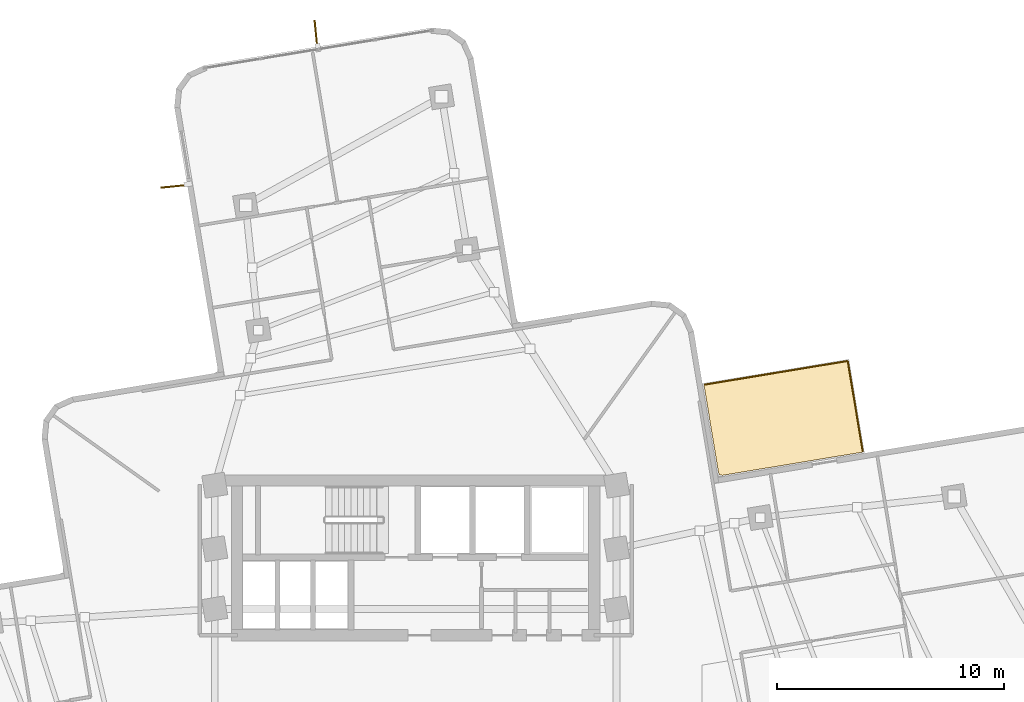
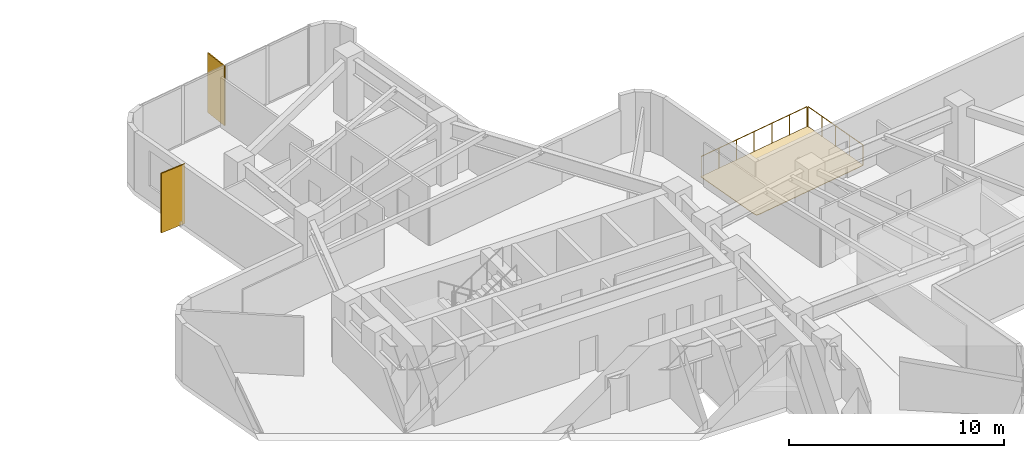
# One storey, part 13 of 13: 2 railings, 2 shading devices, 1 covering.
"""IFC4 building model written with IfcOpenShell, lengths in metres."""

import ifcopenshell
import ifcopenshell.guid

model = None  # the IFC model being written
_history = None  # IfcOwnerHistory: only IFC2X3 demands one
_inside = {}  # id of a spatial element -> (the spatial element, [elements in it])
_under = {}  # id of a project, library or spatial element -> (it, [spatial elements below it])
_declared = {}  # id of a project -> (the project, [libraries it declares])
_typed = {}  # id of a type object -> (the type object, [elements of that type])
_made_of = {}  # id of a material, layer set ... -> (it, [elements and type objects made of it])


def new_model(schema):
    """Start an empty IFC model of exactly this schema.

    Asked for "IFC4X3", IfcOpenShell would pick the latest addendum, in which some entities
    have other attributes; the version numbers below select the first issue.
    IFC2X3 requires an IfcOwnerHistory on every rooted entity: one is made here for all.
    """
    global model, _history
    if schema == "IFC4X3":
        model = ifcopenshell.file(schema_version=(4, 3, 0, 0))
    else:
        model = ifcopenshell.file(schema=schema)
    _inside.clear()
    _under.clear()
    _declared.clear()
    _typed.clear()
    _made_of.clear()
    _history = None
    if model.schema == "IFC2X3":
        org = make("IfcOrganization", Name="unknown")
        user = make(
            "IfcPersonAndOrganization",
            ThePerson=make("IfcPerson", FamilyName="unknown"),
            TheOrganization=org,
        )
        app = make(
            "IfcApplication",
            ApplicationDeveloper=org,
            Version="unknown",
            ApplicationFullName="unknown",
            ApplicationIdentifier="unknown",
        )
        _history = make(
            "IfcOwnerHistory",
            OwningUser=user,
            OwningApplication=app,
            ChangeAction="ADDED",
            CreationDate=0,
        )
    return model


def make(cls, **values):
    """One entity of the class cls with the attributes given. An attribute that is None is left unset."""
    return model.create_entity(
        cls, **{name: value for name, value in values.items() if value is not None}
    )


def rooted(cls, **values):
    """An entity with a GlobalId (a new one), such as an element, a storey or a relation."""
    return make(cls, GlobalId=ifcopenshell.guid.new(), OwnerHistory=_history, **values)


def si_unit(unit_type, name, prefix=None):
    """IfcSIUnit, for example si_unit("LENGTHUNIT", "METRE", prefix="MILLI")."""
    return make("IfcSIUnit", UnitType=unit_type, Prefix=prefix, Name=name)


def assignment(units):
    """IfcUnitAssignment: the units of a project."""
    return None if units is None else make("IfcUnitAssignment", Units=units)


def point(xyz):
    """IfcCartesianPoint."""
    return None if xyz is None else make("IfcCartesianPoint", Coordinates=xyz)


def direction(xyz):
    """IfcDirection."""
    return None if xyz is None else make("IfcDirection", DirectionRatios=xyz)


def frame(location, z_axis=None, x_axis=None):
    """IfcAxis2Placement3D, a coordinate frame: its origin and axes. An axis left out is left unset."""
    return make(
        "IfcAxis2Placement3D",
        Location=point(location),
        Axis=direction(z_axis),
        RefDirection=direction(x_axis),
    )


def frame_2d(location, x_axis=None):
    """IfcAxis2Placement2D, a coordinate frame in the plane: its origin and x axis."""
    return make(
        "IfcAxis2Placement2D", Location=point(location), RefDirection=direction(x_axis)
    )


def origin():
    """The frame at (0, 0, 0) with its axes left unset."""
    return frame((0.0, 0.0, 0.0))


def origin_2d():
    """The frame at (0, 0) in the plane with its x axis left unset."""
    return frame_2d((0.0, 0.0))


def place(relative_to, where):
    """IfcLocalPlacement: puts the frame where relative to a parent placement (None: the world)."""
    return make(
        "IfcLocalPlacement", PlacementRelTo=relative_to, RelativePlacement=where
    )


def context(
    kind, dimensions, precision=None, world=None, true_north=None, identifier=None
):
    """IfcGeometricRepresentationContext, for example the 3D "Model" context."""
    return make(
        "IfcGeometricRepresentationContext",
        ContextIdentifier=identifier,
        ContextType=kind,
        CoordinateSpaceDimension=dimensions,
        Precision=precision,
        WorldCoordinateSystem=world,
        TrueNorth=true_north,
    )


def subcontext(parent, identifier, kind, view, scale=None):
    """IfcGeometricRepresentationSubContext, for example "Body" below "Model"."""
    return make(
        "IfcGeometricRepresentationSubContext",
        ContextIdentifier=identifier,
        ContextType=kind,
        ParentContext=parent,
        TargetScale=scale,
        TargetView=view,
    )


def project(units=None, contexts=None):
    """IfcProject with its units and contexts."""
    return rooted(
        "IfcProject",
        Name="project",
        RepresentationContexts=contexts,
        UnitsInContext=assignment(units),
    )


def spatial(cls, under=None, at=None, **own):
    """A site, building, storey or space (cls), placed at a placement, below another one or the project."""
    s = rooted(cls, ObjectPlacement=at, **own)
    if under is not None:
        _under.setdefault(under.id(), (under, []))[1].append(s)
    return s


def polyline(points):
    """IfcPolyline through the points."""
    return make("IfcPolyline", Points=[point(p) for p in points])


def profile(cls, at=None, kind="AREA", **sizes):
    """A parametric profile (cls). Its sizes go by their IFC names, for example OverallWidth=200.0."""
    return make(cls, ProfileType=kind, Position=at, **sizes)


def rectangle(**sizes):
    """IfcRectangleProfileDef."""
    return profile("IfcRectangleProfileDef", **sizes)


def circle(**sizes):
    """IfcCircleProfileDef."""
    return profile("IfcCircleProfileDef", **sizes)


def outline(outer, holes=None, kind="AREA"):
    """IfcArbitraryClosedProfileDef: a profile drawn as a closed curve; with holes, ...WithVoids."""
    if holes is None:
        return make("IfcArbitraryClosedProfileDef", ProfileType=kind, OuterCurve=outer)
    return make(
        "IfcArbitraryProfileDefWithVoids",
        ProfileType=kind,
        OuterCurve=outer,
        InnerCurves=holes,
    )


def extrude(swept, where, along, depth):
    """IfcExtrudedAreaSolid: the profile swept, set in the frame where, extruded along a direction by depth."""
    return make(
        "IfcExtrudedAreaSolid",
        SweptArea=swept,
        Position=where,
        ExtrudedDirection=direction(along),
        Depth=depth,
    )


def shape(context_of_items, identifier, shape_type, items):
    """IfcShapeRepresentation: the items that make up one representation, for example the "Body"."""
    return make(
        "IfcShapeRepresentation",
        ContextOfItems=context_of_items,
        RepresentationIdentifier=identifier,
        RepresentationType=shape_type,
        Items=items,
    )


def material(Name=None, Category=None):
    """IfcMaterial."""
    return make("IfcMaterial", Name=Name, Category=Category)


def layer(
    of_material, thickness, ventilated=None, Name=None, Category=None, Priority=None
):
    """IfcMaterialLayer: one layer of a wall or slab, of a material (None: an air gap)."""
    return make(
        "IfcMaterialLayer",
        Material=of_material,
        LayerThickness=thickness,
        IsVentilated=ventilated,
        Name=Name,
        Category=Category,
        Priority=Priority,
    )


def layer_set(layers, Name=None):
    """IfcMaterialLayerSet."""
    return make("IfcMaterialLayerSet", MaterialLayers=layers, LayerSetName=Name)


def made_of(thing, what):
    """Note that an element or type object is made of a material, layer set ...; save() writes the relation."""
    if what is not None:
        _made_of.setdefault(what.id(), (what, []))[1].append(thing)
    return thing


def type_object(cls, material=None, **own):
    """A type object (cls), such as IfcWallType, which elements share."""
    return made_of(rooted(cls, **own), material)


def element(
    cls,
    number,
    at=None,
    inside=None,
    cuts=None,
    type_object=None,
    material=None,
    context=None,
    identifier="Body",
    shape_type=None,
    held_by="IfcProductDefinitionShape",
    body=None,
    shapes=None,
    **own,
):
    """One element of the class cls, such as IfcWall. Its Tag is "e" and its number.

    at: its placement. inside: the storey or other place that contains it. cuts: it is an
    opening in that element (IfcRelVoidsElement). A single representation is given by context,
    identifier, shape_type and body (its items); several are given by shapes. held_by: the class
    of the entity that holds the representations. save() writes the other relations.
    """
    e = rooted(cls, Tag="e%d" % number, ObjectPlacement=at, **own)
    if body is not None:
        shapes = [shape(context, identifier, shape_type, body)]
    if shapes is not None:
        e.Representation = make(held_by, Representations=shapes)
    if inside is not None:
        _inside.setdefault(inside.id(), (inside, []))[1].append(e)
    if cuts is not None:
        rooted(
            "IfcRelVoidsElement", RelatingBuildingElement=cuts, RelatedOpeningElement=e
        )
    if type_object is not None:
        _typed.setdefault(type_object.id(), (type_object, []))[1].append(e)
    return made_of(e, material)


def aggregate(whole, parts):
    """IfcRelAggregates: a whole, such as a stair, and the parts it consists of."""
    return rooted("IfcRelAggregates", RelatingObject=whole, RelatedObjects=parts)


def save(model, path):
    """Write the relations noted so far, then the file.

    IfcRelAggregates (storeys below a building ...), IfcRelContainedInSpatialStructure (elements
    in a storey), IfcRelDefinesByType, IfcRelAssociatesMaterial and IfcRelDeclares: one each for
    every whole, place, type object, material and project.
    """
    for whole, parts in _under.values():
        aggregate(whole, parts)
    for where, things in _inside.values():
        rooted(
            "IfcRelContainedInSpatialStructure",
            RelatedElements=things,
            RelatingStructure=where,
        )
    for kind, things in _typed.values():
        rooted("IfcRelDefinesByType", RelatedObjects=things, RelatingType=kind)
    for what, things in _made_of.values():
        rooted("IfcRelAssociatesMaterial", RelatedObjects=things, RelatingMaterial=what)
    for by, libraries in _declared.values():
        rooted("IfcRelDeclares", RelatingContext=by, RelatedDefinitions=libraries)
    model.write(path)


model = new_model("IFC4")

# Units and contexts
model_context = context("Model", 3, precision=1e-05, world=origin(), true_north=direction((0.0, 1.0)))
body_context = subcontext(model_context, "Body", "Model", "MODEL_VIEW")
ifc_project = project(units=[si_unit("LENGTHUNIT", "METRE"), si_unit("AREAUNIT", "SQUARE_METRE"), si_unit("VOLUMEUNIT", "CUBIC_METRE"), si_unit("PLANEANGLEUNIT", "RADIAN"), si_unit("MASSUNIT", "GRAM", prefix="KILO")], contexts=[model_context])

# Site, building, storey
site_placement = place(None, origin())
site = spatial("IfcSite", under=ifc_project, at=site_placement, CompositionType="ELEMENT")
building_placement = place(site_placement, origin())
building = spatial("IfcBuilding", under=site, at=building_placement, Name="Solmarez Civic Tower", CompositionType="ELEMENT")
storey_placement = place(building_placement, frame((0.0, 0.0, 96.47998046875)))
storey = spatial("IfcBuildingStorey", under=building, at=storey_placement, Name="L25", CompositionType="ELEMENT", Elevation=96.47998046875)

# Covering
ifc_material_1 = material(Name="Elastomeric Terrace Waterproofing Membrane")
ifc_layer_1 = layer(ifc_material_1, 0.030029296875)
ifc_layer_set_1 = layer_set([ifc_layer_1], Name="Elastomeric Terrace Waterproofing Membrane")
covering_type = type_object("IfcCoveringType", Name="COV-MEMBRANE-ROOF", PredefinedType="ROOFING", material=ifc_layer_set_1)
covering_placement = place(storey_placement, origin())
element("IfcCovering", 1, at=covering_placement, inside=storey, type_object=covering_type, Name="L25 Balcony Waterproofing NE", PredefinedType="ROOFING", context=body_context, shape_type="SweptSolid", body=[
    extrude(outline(polyline([(13.3349609375, 8.9169921875), (13.386962890625, 8.800048828125), (13.514892578125, 8.787109375), (19.701904296875, 9.81103515625), (19.035888671875, 13.8349609375), (12.694091796875, 12.784912109375), (13.3349609375, 8.9169921875)])), origin(), (0.0, 0.0, 1.0), 0.030029296875),
])

# Shading devices
ifc_material_2 = material(Name="Bronze Anodised Aluminium EN AW-6063 T6", Category="aluminium")
ifc_layer_2 = layer(ifc_material_2, 0.06494140625)
ifc_layer_set_2 = layer_set([ifc_layer_2], Name="Bronze Anodised Aluminium EN AW-6063 T6")
shading_device_type = type_object("IfcShadingDeviceType", Name="FIN-BRONZE-Z12", PredefinedType="USERDEFINED", material=ifc_layer_set_2)
for number, where, z_axis, x_axis, name in (
    (2, (-10.56201171875, 21.52294921875, -0.0400390625), (0.0, 0.0, 1.0), (-0.995052102442, -0.099354483675, 0.0), "L25 Anodised Bronze Solar Fin FIN-L25-03"),
    (3, (-4.388916015625, 28.166015625, -0.0400390625), (0.0, 0.0, 1.0), (-0.099406584345, 0.995046898889, 0.0), "L25 Anodised Bronze Solar Fin FIN-L25-04"),
):
    element("IfcShadingDevice", number, at=place(storey_placement, frame(where, z_axis=z_axis, x_axis=x_axis)), inside=storey, type_object=shading_device_type, Name=name, ObjectType="FIN", PredefinedType="USERDEFINED", context=body_context, shape_type="SweptSolid", body=[
        extrude(rectangle(XDim=1.35009765625, YDim=0.06494140625, at=origin_2d()), origin(), (0.0, 0.0, 1.0), 3.3798828125),
    ])

# Railings
ifc_material_3 = material(Name="Bronze Anodised Aluminium and Laminated Safety Glass Balustrade", Category="aluminium")
railing_type = type_object("IfcRailingType", Name="GUARD-TERR-1180", PredefinedType="BALUSTRADE", material=ifc_material_3)
railing_1_placement = place(storey_placement, frame((19.696044921875, 9.845947265625, 0.0)))
element("IfcRailing", 4, at=railing_1_placement, inside=storey, type_object=railing_type, Name="L25 Safety Balustrade GRD-BALC-L25-NE-1", PredefinedType="BALUSTRADE", context=body_context, shape_type="SweptSolid", body=[
    extrude(circle(Radius=0.02392578125, at=origin_2d()), frame((0.0, 0.0, 1.15576171875), z_axis=(-0.163193717452, 0.986594045484, 0.0), x_axis=(-0.986594045484, -0.163193717452, 0.0)), (0.0, 0.0, 1.0), 4.0078125),
    extrude(circle(Radius=0.02099609375, at=origin_2d()), origin(), (0.0, 0.0, 1.0), 1.1318359375),
    extrude(circle(Radius=0.02099609375, at=origin_2d()), frame((-0.16357421875, 0.988525390625, 0.0)), (0.0, 0.0, 1.0), 1.1318359375),
    extrude(circle(Radius=0.02099609375, at=origin_2d()), frame((-0.3271484375, 1.97705078125, 0.0)), (0.0, 0.0, 1.0), 1.1318359375),
    extrude(circle(Radius=0.02099609375, at=origin_2d()), frame((-0.490478515625, 2.965576171875, 0.0)), (0.0, 0.0, 1.0), 1.1318359375),
    extrude(circle(Radius=0.02099609375, at=origin_2d()), frame((-0.654052734375, 3.9541015625, 0.0)), (0.0, 0.0, 1.0), 1.1318359375),
])
railing_2_placement = place(storey_placement, frame((19.0009765625, 13.8291015625, 0.0)))
element("IfcRailing", 5, at=railing_2_placement, inside=storey, type_object=railing_type, Name="L25 Safety Balustrade GRD-BALC-L25-NE-2", PredefinedType="BALUSTRADE", context=body_context, shape_type="SweptSolid", body=[
    extrude(circle(Radius=0.02392578125, at=origin_2d()), frame((0.0, 0.0, 1.15576171875), z_axis=(-0.986578051468, -0.163290380492, 0.0), x_axis=(0.163290380492, -0.986578051468, 0.0)), (0.0, 0.0, 1.0), 6.357421875),
    extrude(circle(Radius=0.02099609375, at=origin_2d()), origin(), (0.0, 0.0, 1.0), 1.1318359375),
    extrude(circle(Radius=0.02099609375, at=origin_2d()), frame((-1.04541015625, -0.173095703125, 0.0)), (0.0, 0.0, 1.0), 1.1318359375),
    extrude(circle(Radius=0.02099609375, at=origin_2d()), frame((-2.090576171875, -0.345947265625, 0.0)), (0.0, 0.0, 1.0), 1.1318359375),
    extrude(circle(Radius=0.02099609375, at=origin_2d()), frame((-3.135986328125, -0.51904296875, 0.0)), (0.0, 0.0, 1.0), 1.1318359375),
    extrude(circle(Radius=0.02099609375, at=origin_2d()), frame((-4.181396484375, -0.692138671875, 0.0)), (0.0, 0.0, 1.0), 1.1318359375),
    extrude(circle(Radius=0.02099609375, at=origin_2d()), frame((-5.2265625, -0.864990234375, 0.0)), (0.0, 0.0, 1.0), 1.1318359375),
    extrude(circle(Radius=0.02099609375, at=origin_2d()), frame((-6.27197265625, -1.0380859375, 0.0)), (0.0, 0.0, 1.0), 1.1318359375),
])

save(model, "model.ifc")
